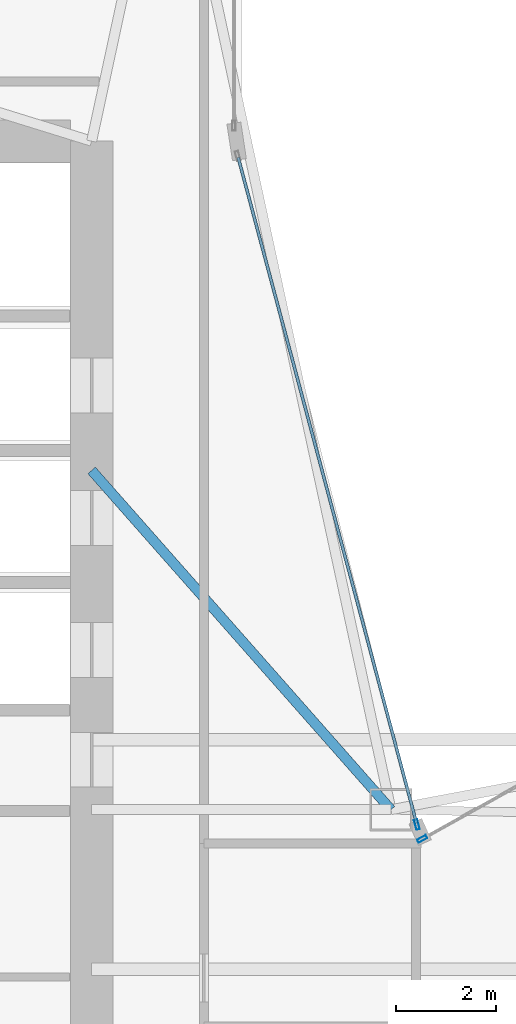
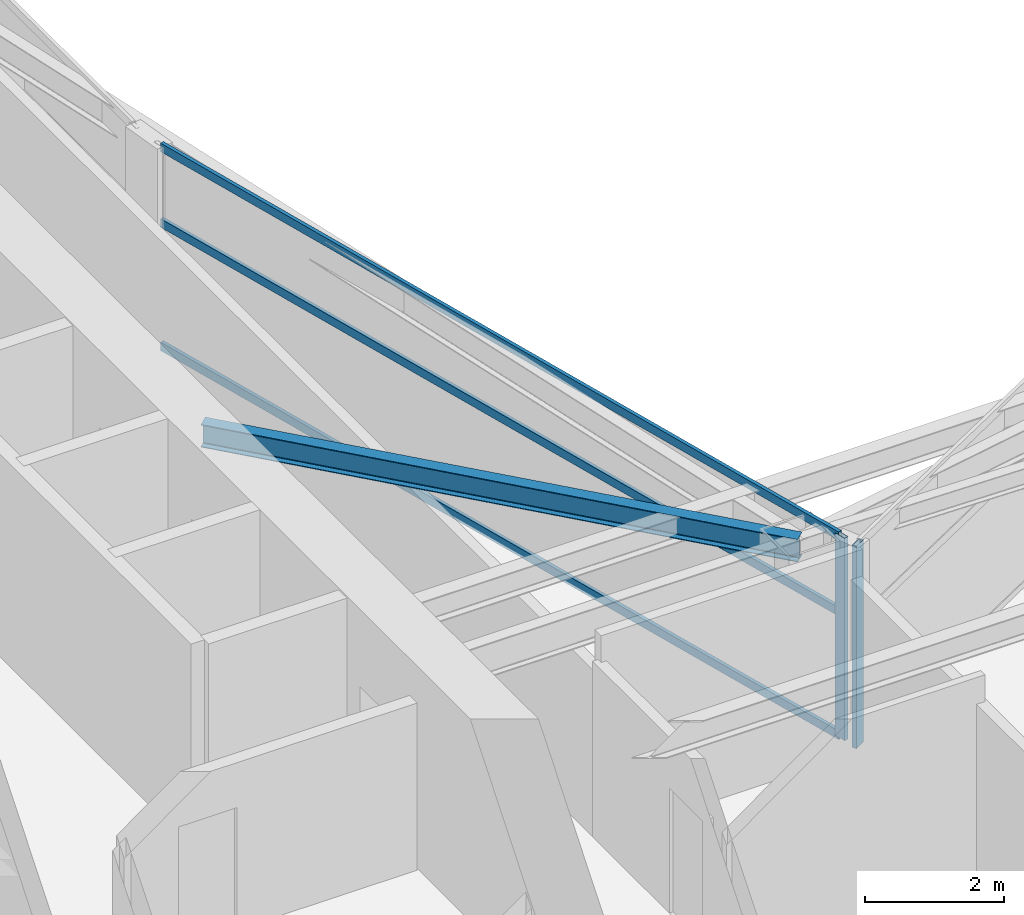
# One storey, part 10 of 28: 5 members, 1 beam, 2 elements without a shape of their own.
"""IFC4 building model written with IfcOpenShell, lengths in metres."""

from ifc_helpers import new_model, si_unit, direction, frame, origin, origin_2d, place, context, subcontext, project, spatial, hollow_rectangle, i_section, extrude, material, layer, layer_set, material_profile, profile_set, type_object, element, aggregate, save


model = new_model("IFC4")

# Units and contexts
model_context = context("Model", 3, precision=1e-05, world=origin(), true_north=direction((0.0, 1.0)))
body_context = subcontext(model_context, "Body", "Model", "MODEL_VIEW")
ifc_project = project(units=[si_unit("LENGTHUNIT", "METRE"), si_unit("AREAUNIT", "SQUARE_METRE"), si_unit("VOLUMEUNIT", "CUBIC_METRE"), si_unit("PLANEANGLEUNIT", "RADIAN"), si_unit("MASSUNIT", "GRAM", prefix="KILO")], contexts=[model_context])

# Site, building, storey
site_placement = place(None, origin())
site = spatial("IfcSite", under=ifc_project, at=site_placement, CompositionType="ELEMENT")
building_placement = place(site_placement, origin())
building = spatial("IfcBuilding", under=site, at=building_placement, Name="Calvorn Quay Hotel", CompositionType="ELEMENT")
storey_placement = place(building_placement, frame((0.0, 0.0, 156.10009765625)))
storey = spatial("IfcBuildingStorey", under=building, at=storey_placement, Name="L38", CompositionType="ELEMENT", Elevation=156.10009765625)

# Beam
ifc_material_1 = material(Name="Steel Q355B", Category="steel")
ifc_material_profile_1 = material_profile(ifc_material_1, i_section(OverallWidth=0.199951171875, OverallDepth=0.39990234375, WebThickness=0.008056640625, FlangeThickness=0.012939453125, FilletRadius=0.01611328125, at=origin_2d()), Name="HN400x200x8x13")
ifc_profile_set_1 = profile_set([ifc_material_profile_1], Name="Steel Q355B")
beam_type = type_object("IfcBeamType", Name="BM-JOIST-TYP", PredefinedType="JOIST", material=ifc_profile_set_1)
beam_placement = place(storey_placement, frame((15.0, 31.800048828125, 3.33984375), z_axis=(0.661618965899, -0.749840212287, 0.0), x_axis=(0.749840212287, 0.661618965899, 0.0)))
element("IfcBeam", 1, at=beam_placement, inside=storey, type_object=beam_type, Name="Beam BJ-L38-C1", PredefinedType="JOIST", context=body_context, shape_type="SweptSolid", body=[
    extrude(i_section(OverallWidth=0.199951171875, OverallDepth=0.39990234375, WebThickness=0.008056640625, FlangeThickness=0.012939453125, FilletRadius=0.01611328125, at=origin_2d()), origin(), (0.0, 0.0, 1.0), 9.068603515625),
])

# Curtain wall, member
ifc_material_2 = material(Name="Pale Anodised Aluminium and Low-E Glass", Category="aluminium")
ifc_layer = layer(ifc_material_2, 0.219970703125)
ifc_layer_set = layer_set([ifc_layer], Name="CW-SYS-Z2")
curtain_wall_type = type_object("IfcCurtainWallType", Name="CW-SYS-Z2", PredefinedType="NOTDEFINED", material=ifc_layer_set)
curtain_wall_1_placement = place(storey_placement, origin())
curtain_wall_1 = element("IfcCurtainWall", 2, at=curtain_wall_1_placement, inside=storey, type_object=curtain_wall_type, Name="Inner Court Curtain Wall L38-NE1", PredefinedType="NOTDEFINED")
ifc_material_3 = material(Name="Pale Anodised Aluminium 6063-T6", Category="aluminium")
ifc_material_profile_2 = material_profile(ifc_material_3, hollow_rectangle(XDim=0.070068359375, YDim=0.199951171875, WallThickness=0.00390625, at=origin_2d()), Name="ALU-M200x70x4")
ifc_profile_set_2 = profile_set([ifc_material_profile_2], Name="Pale Anodised Aluminium 6063-T6")
member_type_1 = type_object("IfcMemberType", Name="CW-SYS-Z2-MUL", PredefinedType="MULLION", material=ifc_profile_set_2)
member_1_placement = place(storey_placement, frame((21.626220703125, 24.41455078125, 0.0), z_axis=(0.0, 0.0, 1.0), x_axis=(0.486858256224, -0.873480989116, 0.0)))
member_1 = element("IfcMember", 3, at=member_1_placement, type_object=member_type_1, Name="CW-L38-NE1 mullion 4", PredefinedType="MULLION", context=body_context, shape_type="SweptSolid", body=[
    extrude(hollow_rectangle(XDim=0.070068359375, YDim=0.199951171875, WallThickness=0.00390625, at=origin_2d()), origin(), (0.0, 0.0, 1.0), 3.559814453125),
])
aggregate(curtain_wall_1, [member_1])

# Curtain wall, members
curtain_wall_2_placement = place(storey_placement, origin())
curtain_wall_2 = element("IfcCurtainWall", 4, at=curtain_wall_2_placement, inside=storey, type_object=curtain_wall_type, Name="Inner Court Curtain Wall L38-IC1", PredefinedType="NOTDEFINED")
member_2_placement = place(storey_placement, frame((21.520263671875, 24.698974609375, 0.0), z_axis=(0.0, 0.0, 1.0), x_axis=(-0.96593652056, -0.25877913024, 0.0)))
member_2 = element("IfcMember", 5, at=member_2_placement, type_object=member_type_1, Name="CW-L38-IC1 mullion 1", PredefinedType="MULLION", context=body_context, shape_type="SweptSolid", body=[
    extrude(hollow_rectangle(XDim=0.070068359375, YDim=0.199951171875, WallThickness=0.00390625, at=origin_2d()), origin(), (0.0, 0.0, 1.0), 3.559814453125),
])
ifc_material_4 = material(Name="Pale Anodised Aluminium 6063-T6", Category="aluminium")
ifc_material_profile_3 = material_profile(ifc_material_4, hollow_rectangle(XDim=0.06005859375, YDim=0.14990234375, WallThickness=0.00341796875, at=origin_2d()), Name="ALU-T150x60x3.5")
ifc_profile_set_3 = profile_set([ifc_material_profile_3], Name="Pale Anodised Aluminium 6063-T6")
member_type_2 = type_object("IfcMemberType", Name="CW-SYS-Z2-TRN", PredefinedType="USERDEFINED", material=ifc_profile_set_3)
member_3_placement = place(storey_placement, frame((21.512451171875, 24.72802734375, 0.02978515625), z_axis=(-0.258781136883, 0.965935982969, 0.0), x_axis=(-0.965935982969, -0.258781136883, 0.0)))
member_3 = element("IfcMember", 6, at=member_3_placement, type_object=member_type_2, Name="CW-L38-IC1 transom 1.1", ObjectType="TRANSOM", PredefinedType="USERDEFINED", context=body_context, shape_type="SweptSolid", body=[
    extrude(hollow_rectangle(XDim=0.06005859375, YDim=0.14990234375, WallThickness=0.00341796875, at=origin_2d()), origin(), (0.0, 0.0, 1.0), 13.814453125),
])
member_4_placement = place(storey_placement, frame((21.512451171875, 24.72802734375, 2.199951171875), z_axis=(-0.258781136883, 0.965935982969, 0.0), x_axis=(-0.965935982969, -0.258781136883, 0.0)))
member_4 = element("IfcMember", 7, at=member_4_placement, type_object=member_type_2, Name="CW-L38-IC1 transom 1.2", ObjectType="TRANSOM", PredefinedType="USERDEFINED", context=body_context, shape_type="SweptSolid", body=[
    extrude(hollow_rectangle(XDim=0.06005859375, YDim=0.14990234375, WallThickness=0.00341796875, at=origin_2d()), origin(), (0.0, 0.0, 1.0), 13.814453125),
])
member_5_placement = place(storey_placement, frame((21.512451171875, 24.72802734375, 3.52978515625), z_axis=(-0.258781136883, 0.965935982969, 0.0), x_axis=(-0.965935982969, -0.258781136883, 0.0)))
member_5 = element("IfcMember", 8, at=member_5_placement, type_object=member_type_2, Name="CW-L38-IC1 transom 1.3", ObjectType="TRANSOM", PredefinedType="USERDEFINED", context=body_context, shape_type="SweptSolid", body=[
    extrude(hollow_rectangle(XDim=0.06005859375, YDim=0.14990234375, WallThickness=0.00341796875, at=origin_2d()), origin(), (0.0, 0.0, 1.0), 13.814453125),
])
aggregate(curtain_wall_2, [member_2, member_3, member_4, member_5])

save(model, "model.ifc")
